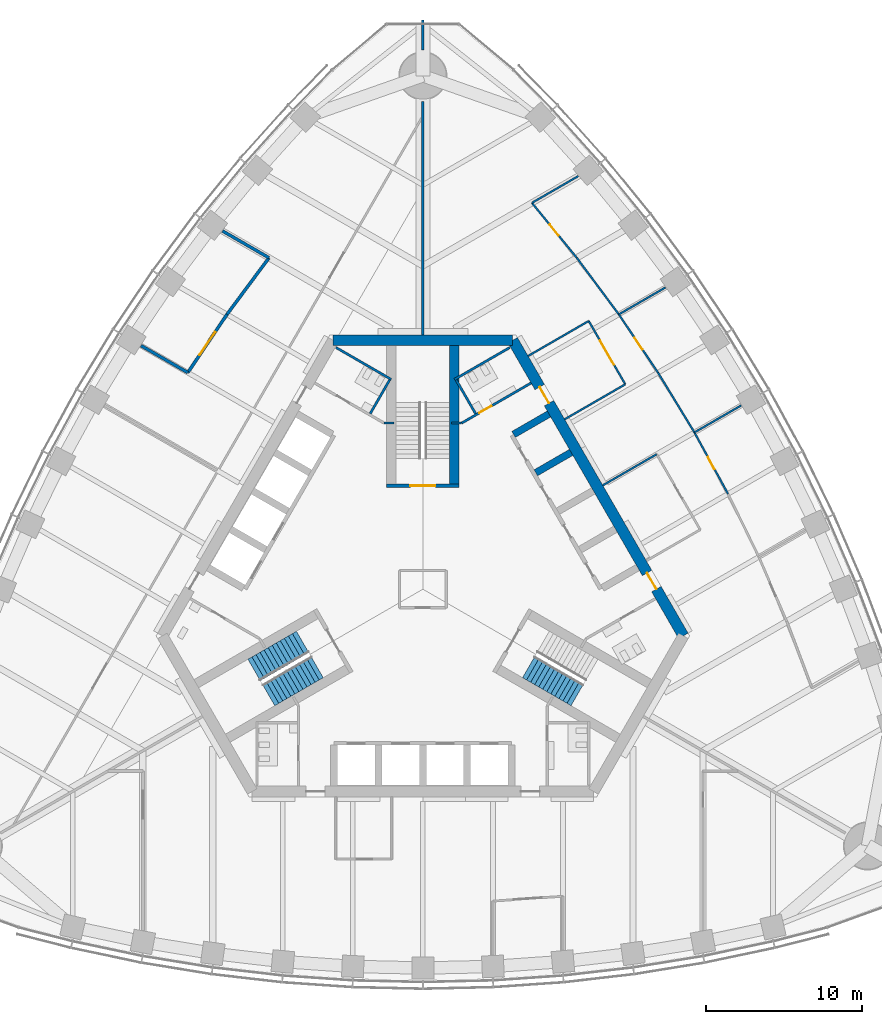
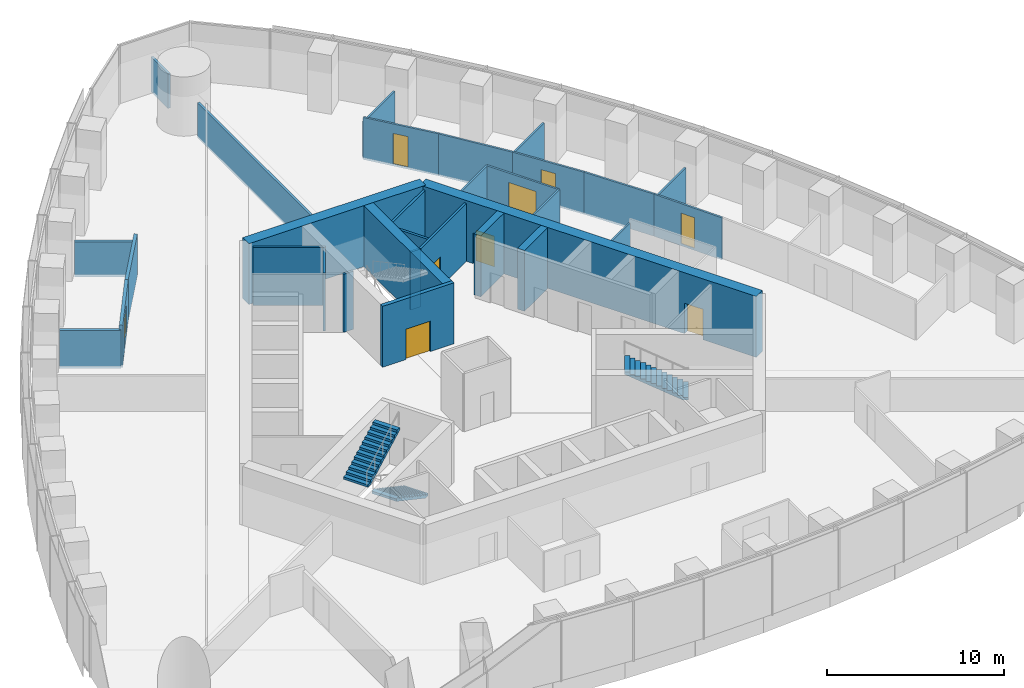
# One storey, part 13 of 19: 31 walls, 9 doors, 3 stair flights, 9 openings, 2 elements without a shape of their own.
"""IFC4 building model written with IfcOpenShell, lengths in metres."""

from ifc_helpers import new_model, si_unit, direction, frame, frame_2d, origin, place, context, subcontext, project, spatial, polyline, rectangle, outline, extrude, material, layer, layer_set, type_object, element, fill, aggregate, save


model = new_model("IFC4")

# Units and contexts
model_context = context("Model", 3, precision=1e-05, world=origin(), true_north=direction((0.0, 1.0)))
body_context = subcontext(model_context, "Body", "Model", "MODEL_VIEW")
ifc_project = project(units=[si_unit("LENGTHUNIT", "METRE"), si_unit("AREAUNIT", "SQUARE_METRE"), si_unit("VOLUMEUNIT", "CUBIC_METRE"), si_unit("PLANEANGLEUNIT", "RADIAN"), si_unit("MASSUNIT", "GRAM", prefix="KILO")], contexts=[model_context])

# Site, building, storey
site_placement = place(None, origin())
site = spatial("IfcSite", under=ifc_project, at=site_placement, CompositionType="ELEMENT")
building_placement = place(site_placement, origin())
building = spatial("IfcBuilding", under=site, at=building_placement, Name="Trefoil Bronze Tower", CompositionType="ELEMENT")
storey_placement = place(building_placement, frame((0.0, 0.0, 256.89990234375)))
storey = spatial("IfcBuildingStorey", under=building, at=storey_placement, Name="L59", CompositionType="ELEMENT", Elevation=256.89990234375)

# Wall
ifc_material_1 = material(Name="Gypsum board on steel studs", Category="steel")
ifc_layer_1 = layer(ifc_material_1, 0.199951171875)
ifc_layer_set_1 = layer_set([ifc_layer_1], Name="Acoustic partition 200")
wall_type_1 = type_object("IfcWallType", Name="Acoustic partition 200", PredefinedType="PARTITIONING", material=ifc_layer_set_1)
wall_1_placement = place(storey_placement, frame((-9.8916015625, 21.29931640625, 0.0), z_axis=(0.0, 0.0, 1.0), x_axis=(-0.596173167565, -0.802855873912, 0.0)))
element("IfcWall", 1, at=wall_1_placement, inside=storey, type_object=wall_type_1, Name="Partition F3 L59", PredefinedType="PARTITIONING", context=body_context, shape_type="SweptSolid", body=[
    extrude(rectangle(XDim=4.530029296875, YDim=0.199951171875, at=frame_2d((2.26513671875, 0.0))), origin(), (0.0, 0.0, 1.0), 2.900146484375),
])

# Wall, opening, door
wall_2_placement = place(storey_placement, frame((-12.59228515625, 17.662353515625, 0.0), z_axis=(0.0, 0.0, 1.0), x_axis=(-0.558466624917, -0.829526991034, 0.0)))
wall_2 = element("IfcWall", 2, at=wall_2_placement, inside=storey, type_object=wall_type_1, Name="Partition F3 L59", PredefinedType="PARTITIONING", context=body_context, shape_type="SweptSolid", body=[
    extrude(rectangle(XDim=4.5107421875, YDim=0.199951171875, at=frame_2d((2.25537109375, 0.0))), origin(), (0.0, 0.0, 1.0), 2.900146484375),
])
opening_1_placement = place(wall_2_placement, frame((1.35009765625, 0.0, 0.14990234375)))
opening_1 = element("IfcOpeningElement", 3, at=opening_1_placement, cuts=wall_2, Name="Opening D10", PredefinedType="OPENING", context=body_context, shape_type="SweptSolid", body=[
    extrude(rectangle(XDim=1.800048828125, YDim=2.10009765625, at=frame_2d((0.89990234375, 1.050048828125))), frame((0.0, 0.10986328125, 0.0), z_axis=(0.0, -1.0, 0.0), x_axis=(1.0, 0.0, 0.0)), (0.0, 0.0, 1.0), 0.219970703125),
])
ifc_material_2 = material(Name="Timber door", Category="wood")
door_type_1 = type_object("IfcDoorType", Name="Double door 1800", OperationType="DOUBLE_DOOR_SINGLE_SWING", PredefinedType="DOOR", material=ifc_material_2)
door_1_placement = place(opening_1_placement, frame((1.800048828125, 0.0, 0.0), z_axis=(0.0, 0.0, 1.0), x_axis=(-1.0, 0.0, 0.0)))
door_1 = element("IfcDoor", 4, at=door_1_placement, inside=storey, type_object=door_type_1, Name="Boardroom door F3 L59", OperationType="DOUBLE_DOOR_SINGLE_SWING", OverallHeight=2.10009765625, OverallWidth=1.800048828125, PredefinedType="DOOR", context=body_context, shape_type="SweptSolid", body=[
    extrude(rectangle(XDim=1.800048828125, YDim=2.10009765625, at=frame_2d((0.89990234375, 1.050048828125))), frame((0.0, 0.02490234375, 0.0), z_axis=(0.0, -1.0, 0.0), x_axis=(1.0, 0.0, 0.0)), (0.0, 0.0, 1.0), 0.050048828125),
])
fill(opening_1, door_1)

# Walls
wall_3_placement = place(storey_placement, frame((-9.8916015625, 21.29931640625, 0.0), z_axis=(0.0, 0.0, 1.0), x_axis=(-0.866012622712, 0.500022136814, 0.0)))
element("IfcWall", 5, at=wall_3_placement, inside=storey, type_object=wall_type_1, Name="Partition F3 L59", PredefinedType="PARTITIONING", context=body_context, shape_type="SweptSolid", body=[
    extrude(rectangle(XDim=3.455322265625, YDim=0.199951171875, at=frame_2d((1.7275390625, 0.0))), origin(), (0.0, 0.0, 1.0), 2.400146484375),
])
wall_4_placement = place(storey_placement, frame((-15.111328125, 13.920654296875, 0.0), z_axis=(0.0, 0.0, 1.0), x_axis=(-0.866016800201, 0.500014901547, 0.0)))
element("IfcWall", 6, at=wall_4_placement, inside=storey, type_object=wall_type_1, Name="Partition F3 L59", PredefinedType="PARTITIONING", context=body_context, shape_type="SweptSolid", body=[
    extrude(rectangle(XDim=3.46875, YDim=0.199951171875, at=frame_2d((1.734375, 0.0))), origin(), (0.0, 0.0, 1.0), 2.60009765625),
])

# Wall, openings, doors
ifc_material_3 = material(Name="Concrete B80", Category="concrete")
ifc_layer_2 = layer(ifc_material_3, 0.699951171875)
ifc_layer_set_2 = layer_set([ifc_layer_2], Name="Core wall 700")
wall_type_2 = type_object("IfcWallType", Name="Core wall 700", PredefinedType="SHEAR", material=ifc_layer_set_2)
wall_5_placement = place(storey_placement, frame((16.7431640625, -3.0, 0.0), z_axis=(0.0, 0.0, 1.0), x_axis=(-0.500002442456, 0.866023993627, 0.0)))
wall_5 = element("IfcWall", 7, at=wall_5_placement, inside=storey, type_object=wall_type_2, Name="Core long wall 2 L59", PredefinedType="SHEAR", context=body_context, shape_type="SweptSolid", body=[
    extrude(rectangle(XDim=21.939453125, YDim=0.699951171875, at=frame_2d((10.9697265625, 0.0))), origin(), (0.0, 0.0, 1.0), 4.2001953125),
])
opening_2_placement = place(wall_5_placement, frame((17.269775390625, 0.0, 0.0)))
opening_2 = element("IfcOpeningElement", 8, at=opening_2_placement, cuts=wall_5, Name="Opening D2", PredefinedType="OPENING", context=body_context, shape_type="SweptSolid", body=[
    extrude(rectangle(XDim=1.199951171875, YDim=2.10009765625, at=frame_2d((0.60009765625, 1.050048828125))), frame((0.0, 0.35986328125, 0.0), z_axis=(0.0, -1.0, 0.0), x_axis=(1.0, 0.0, 0.0)), (0.0, 0.0, 1.0), 0.719970703125),
])
opening_3_placement = place(wall_5_placement, frame((3.4697265625, 0.0, 0.0)))
opening_3 = element("IfcOpeningElement", 9, at=opening_3_placement, cuts=wall_5, Name="Opening D2", PredefinedType="OPENING", context=body_context, shape_type="SweptSolid", body=[
    extrude(rectangle(XDim=1.199951171875, YDim=2.10009765625, at=frame_2d((0.60009765625, 1.050048828125))), frame((0.0, 0.35986328125, 0.0), z_axis=(0.0, -1.0, 0.0), x_axis=(1.0, 0.0, 0.0)), (0.0, 0.0, 1.0), 0.719970703125),
])
ifc_material_4 = material(Name="Steel door", Category="steel")
door_type_2 = type_object("IfcDoorType", Name="Lobby door 1200", OperationType="SINGLE_SWING_RIGHT", PredefinedType="DOOR", material=ifc_material_4)
door_2_placement = place(opening_2_placement, origin())
door_2 = element("IfcDoor", 10, at=door_2_placement, inside=storey, type_object=door_type_2, Name="Lobby door F2+ L59", OperationType="SINGLE_SWING_RIGHT", OverallHeight=2.10009765625, OverallWidth=1.199951171875, PredefinedType="DOOR", context=body_context, shape_type="SweptSolid", body=[
    extrude(rectangle(XDim=1.199951171875, YDim=2.10009765625, at=frame_2d((0.60009765625, 1.050048828125))), frame((0.0, 0.02490234375, 0.0), z_axis=(0.0, -1.0, 0.0), x_axis=(1.0, 0.0, 0.0)), (0.0, 0.0, 1.0), 0.050048828125),
])
fill(opening_2, door_2)
door_3_placement = place(opening_3_placement, origin())
door_3 = element("IfcDoor", 11, at=door_3_placement, inside=storey, type_object=door_type_2, Name="Lobby door F2- L59", OperationType="SINGLE_SWING_LEFT", OverallHeight=2.10009765625, OverallWidth=1.199951171875, PredefinedType="DOOR", context=body_context, shape_type="SweptSolid", body=[
    extrude(rectangle(XDim=1.199951171875, YDim=2.10009765625, at=frame_2d((0.60009765625, 1.050048828125))), frame((0.0, 0.02490234375, 0.0), z_axis=(0.0, -1.0, 0.0), x_axis=(1.0, 0.0, 0.0)), (0.0, 0.0, 1.0), 0.050048828125),
])
fill(opening_3, door_3)

# Wall
wall_6_placement = place(storey_placement, frame((5.7734375, 16.0, 0.0), z_axis=(0.0, 0.0, 1.0), x_axis=(-1.0, 0.0, 0.0)))
element("IfcWall", 12, at=wall_6_placement, inside=storey, type_object=wall_type_2, Name="Core short wall 2 L59", PredefinedType="SHEAR", context=body_context, shape_type="SweptSolid", body=[
    extrude(rectangle(XDim=11.546875, YDim=0.699951171875, at=frame_2d((5.7734375, 0.0))), origin(), (0.0, 0.0, 1.0), 4.2001953125),
])

# Wall, opening, door
ifc_material_5 = material(Name="Glazed partition", Category="glass")
ifc_layer_3 = layer(ifc_material_5, 0.1201171875)
ifc_layer_set_3 = layer_set([ifc_layer_3], Name="Glazed partition 120")
wall_type_3 = type_object("IfcWallType", Name="Glazed partition 120", PredefinedType="PARTITIONING", material=ifc_layer_set_3)
wall_7_placement = place(storey_placement, frame((13.008544921875, 13.16845703125, 0.0), z_axis=(0.0, 0.0, 1.0), x_axis=(-0.500016218704, 0.866016039709, 0.0)))
wall_7 = element("IfcWall", 13, at=wall_7_placement, inside=storey, type_object=wall_type_3, Name="Partition F2 L59", PredefinedType="PARTITIONING", context=body_context, shape_type="SweptSolid", body=[
    extrude(rectangle(XDim=4.699951171875, YDim=0.1201171875, at=frame_2d((2.35009765625, 0.0))), origin(), (0.0, 0.0, 1.0), 2.900146484375),
])
opening_4_placement = place(wall_7_placement, frame((1.449951171875, 0.0, 0.14990234375)))
opening_4 = element("IfcOpeningElement", 14, at=opening_4_placement, cuts=wall_7, Name="Opening D10", PredefinedType="OPENING", context=body_context, shape_type="SweptSolid", body=[
    extrude(rectangle(XDim=1.800048828125, YDim=2.10009765625, at=frame_2d((0.89990234375, 1.050048828125))), frame((0.0, 0.070068359375, 0.0), z_axis=(0.0, -1.0, 0.0), x_axis=(1.0, 0.0, 0.0)), (0.0, 0.0, 1.0), 0.14013671875),
])
door_4_placement = place(opening_4_placement, frame((1.800048828125, 0.0, 0.0), z_axis=(0.0, 0.0, 1.0), x_axis=(-1.0, 0.0, 0.0)))
door_4 = element("IfcDoor", 15, at=door_4_placement, inside=storey, type_object=door_type_1, Name="Reception door F2 L59", OperationType="DOUBLE_DOOR_SINGLE_SWING", OverallHeight=2.10009765625, OverallWidth=1.800048828125, PredefinedType="DOOR", context=body_context, shape_type="SweptSolid", body=[
    extrude(rectangle(XDim=1.800048828125, YDim=2.10009765625, at=frame_2d((0.89990234375, 1.050048828125))), frame((0.0, 0.02490234375, 0.0), z_axis=(0.0, -1.0, 0.0), x_axis=(1.0, 0.0, 0.0)), (0.0, 0.0, 1.0), 0.050048828125),
])
fill(opening_4, door_4)

# Walls
wall_8_placement = place(storey_placement, frame((9.111328125, 10.91845703125, 0.0), z_axis=(0.0, 0.0, 1.0), x_axis=(0.866031096941, 0.499990139034, 0.0)))
element("IfcWall", 16, at=wall_8_placement, inside=storey, type_object=wall_type_3, Name="Partition F2 L59", PredefinedType="PARTITIONING", context=body_context, shape_type="SweptSolid", body=[
    extrude(rectangle(XDim=4.5, YDim=0.1201171875, at=frame_2d((2.25, 0.0))), origin(), (0.0, 0.0, 1.0), 2.900146484375),
])
wall_9_placement = place(storey_placement, frame((6.761474609375, 14.98876953125, 0.0), z_axis=(0.0, 0.0, 1.0), x_axis=(0.866017533419, 0.500013631625, 0.0)))
element("IfcWall", 17, at=wall_9_placement, inside=storey, type_object=wall_type_3, Name="Partition F2 L59", PredefinedType="PARTITIONING", context=body_context, shape_type="SweptSolid", body=[
    extrude(rectangle(XDim=4.499755859375, YDim=0.1201171875, at=frame_2d((2.25, 0.0))), origin(), (0.0, 0.0, 1.0), 2.900146484375),
])
wall_10_placement = place(storey_placement, frame((11.5615234375, 6.675048828125, 0.0), z_axis=(0.0, 0.0, 1.0), x_axis=(0.866026010844, 0.49999894854, 0.0)))
element("IfcWall", 18, at=wall_10_placement, inside=storey, type_object=wall_type_3, Name="Partition F2 L59", PredefinedType="PARTITIONING", context=body_context, shape_type="SweptSolid", body=[
    extrude(rectangle(XDim=4.0, YDim=0.1201171875, at=frame_2d((2.0, 0.0))), origin(), (0.0, 0.0, 1.0), 2.60009765625),
])
wall_11_placement = place(storey_placement, frame((17.450927734375, 10.075439453125, 0.0), z_axis=(0.0, 0.0, 1.0), x_axis=(-0.519790350351, 0.85429385558, 0.0)))
element("IfcWall", 19, at=wall_11_placement, inside=storey, type_object=wall_type_3, Name="Partition F2 L59", PredefinedType="PARTITIONING", context=body_context, shape_type="SweptSolid", body=[
    extrude(rectangle(XDim=4.5009765625, YDim=0.1201171875, at=frame_2d((2.25048828125, 0.0))), origin(), (0.0, 0.0, 1.0), 2.900146484375),
])

# Wall, opening, door
wall_12_placement = place(storey_placement, frame((9.8916015625, 21.29931640625, 0.0), z_axis=(0.0, 0.0, 1.0), x_axis=(-0.632765292047, 0.774343647989, 0.0)))
wall_12 = element("IfcWall", 20, at=wall_12_placement, inside=storey, type_object=wall_type_3, Name="Partition F2 L59", PredefinedType="PARTITIONING", context=body_context, shape_type="SweptSolid", body=[
    extrude(rectangle(XDim=4.559326171875, YDim=0.1201171875, at=frame_2d((2.27978515625, 0.0))), origin(), (0.0, 0.0, 1.0), 2.900146484375),
])
opening_5_placement = place(wall_12_placement, frame((1.85009765625, 0.0, 0.14990234375)))
opening_5 = element("IfcOpeningElement", 21, at=opening_5_placement, cuts=wall_12, Name="Opening D8", PredefinedType="OPENING", context=body_context, shape_type="SweptSolid", body=[
    extrude(rectangle(XDim=0.89990234375, YDim=2.10009765625, at=frame_2d((0.449951171875, 1.050048828125))), frame((0.0, 0.070068359375, 0.0), z_axis=(0.0, -1.0, 0.0), x_axis=(1.0, 0.0, 0.0)), (0.0, 0.0, 1.0), 0.14013671875),
])
ifc_material_6 = material(Name="Timber door", Category="wood")
door_type_3 = type_object("IfcDoorType", Name="Office door 900", OperationType="SINGLE_SWING_LEFT", PredefinedType="DOOR", material=ifc_material_6)
door_5_placement = place(opening_5_placement, frame((0.89990234375, 0.0, 0.0), z_axis=(0.0, 0.0, 1.0), x_axis=(-1.0, 0.0, 0.0)))
door_5 = element("IfcDoor", 22, at=door_5_placement, inside=storey, type_object=door_type_3, Name="Executive office door F2 L59", OperationType="SINGLE_SWING_LEFT", OverallHeight=2.10009765625, OverallWidth=0.89990234375, PredefinedType="DOOR", context=body_context, shape_type="SweptSolid", body=[
    extrude(rectangle(XDim=0.89990234375, YDim=2.10009765625, at=frame_2d((0.449951171875, 1.050048828125))), frame((0.0, 0.02490234375, 0.0), z_axis=(0.0, -1.0, 0.0), x_axis=(1.0, 0.0, 0.0)), (0.0, 0.0, 1.0), 0.050048828125),
])
fill(opening_5, door_5)

wall_13_placement = place(storey_placement, frame((15.111328125, 13.920654296875, 0.0), z_axis=(0.0, 0.0, 1.0), x_axis=(-0.558466624917, 0.829526991034, 0.0)))
wall_13 = element("IfcWall", 23, at=wall_13_placement, inside=storey, type_object=wall_type_3, Name="Partition F2 L59", PredefinedType="PARTITIONING", context=body_context, shape_type="SweptSolid", body=[
    extrude(rectangle(XDim=4.5107421875, YDim=0.1201171875, at=frame_2d((2.25537109375, 0.0))), origin(), (0.0, 0.0, 1.0), 2.900146484375),
])
opening_6_placement = place(wall_13_placement, frame((1.800048828125, 0.0, 0.14990234375)))
opening_6 = element("IfcOpeningElement", 24, at=opening_6_placement, cuts=wall_13, Name="Opening D8", PredefinedType="OPENING", context=body_context, shape_type="SweptSolid", body=[
    extrude(rectangle(XDim=0.89990234375, YDim=2.10009765625, at=frame_2d((0.449951171875, 1.050048828125))), frame((0.0, 0.070068359375, 0.0), z_axis=(0.0, -1.0, 0.0), x_axis=(1.0, 0.0, 0.0)), (0.0, 0.0, 1.0), 0.14013671875),
])
door_6_placement = place(opening_6_placement, frame((0.89990234375, 0.0, 0.0), z_axis=(0.0, 0.0, 1.0), x_axis=(-1.0, 0.0, 0.0)))
door_6 = element("IfcDoor", 25, at=door_6_placement, inside=storey, type_object=door_type_3, Name="Executive office door F2 L59", OperationType="SINGLE_SWING_RIGHT", OverallHeight=2.10009765625, OverallWidth=0.89990234375, PredefinedType="DOOR", context=body_context, shape_type="SweptSolid", body=[
    extrude(rectangle(XDim=0.89990234375, YDim=2.10009765625, at=frame_2d((0.449951171875, 1.050048828125))), frame((0.0, 0.02490234375, 0.0), z_axis=(0.0, -1.0, 0.0), x_axis=(1.0, 0.0, 0.0)), (0.0, 0.0, 1.0), 0.050048828125),
])
fill(opening_6, door_6)

# Wall
wall_14_placement = place(storey_placement, frame((12.59228515625, 17.662353515625, 0.0), z_axis=(0.0, 0.0, 1.0), x_axis=(-0.596173167565, 0.802855873912, 0.0)))
element("IfcWall", 26, at=wall_14_placement, inside=storey, type_object=wall_type_3, Name="Partition F2 L59", PredefinedType="PARTITIONING", context=body_context, shape_type="SweptSolid", body=[
    extrude(rectangle(XDim=4.530029296875, YDim=0.1201171875, at=frame_2d((2.26513671875, 0.0))), origin(), (0.0, 0.0, 1.0), 2.900146484375),
])

# Wall, opening, door
wall_15_placement = place(storey_placement, frame((19.611328125, 6.12646484375, 0.0), z_axis=(0.0, 0.0, 1.0), x_axis=(-0.479949984371, 0.877295852322, 0.0)))
wall_15 = element("IfcWall", 27, at=wall_15_placement, inside=storey, type_object=wall_type_3, Name="Partition F2 L59", PredefinedType="PARTITIONING", context=body_context, shape_type="SweptSolid", body=[
    extrude(rectangle(XDim=4.501220703125, YDim=0.1201171875, at=frame_2d((2.25048828125, 0.0))), origin(), (0.0, 0.0, 1.0), 2.900146484375),
])
opening_7_placement = place(wall_15_placement, frame((1.800048828125, 0.0, 0.14990234375)))
opening_7 = element("IfcOpeningElement", 28, at=opening_7_placement, cuts=wall_15, Name="Opening D8", PredefinedType="OPENING", context=body_context, shape_type="SweptSolid", body=[
    extrude(rectangle(XDim=0.89990234375, YDim=2.10009765625, at=frame_2d((0.449951171875, 1.050048828125))), frame((0.0, 0.070068359375, 0.0), z_axis=(0.0, -1.0, 0.0), x_axis=(1.0, 0.0, 0.0)), (0.0, 0.0, 1.0), 0.14013671875),
])
door_7_placement = place(opening_7_placement, frame((0.89990234375, 0.0, 0.0), z_axis=(0.0, 0.0, 1.0), x_axis=(-1.0, 0.0, 0.0)))
door_7 = element("IfcDoor", 29, at=door_7_placement, inside=storey, type_object=door_type_3, Name="Executive office door F2 L59", OperationType="SINGLE_SWING_RIGHT", OverallHeight=2.10009765625, OverallWidth=0.89990234375, PredefinedType="DOOR", context=body_context, shape_type="SweptSolid", body=[
    extrude(rectangle(XDim=0.89990234375, YDim=2.10009765625, at=frame_2d((0.449951171875, 1.050048828125))), frame((0.0, 0.02490234375, 0.0), z_axis=(0.0, -1.0, 0.0), x_axis=(1.0, 0.0, 0.0)), (0.0, 0.0, 1.0), 0.050048828125),
])
fill(opening_7, door_7)

# Walls
wall_16_placement = place(storey_placement, frame((17.450927734375, 10.075439453125, 0.0), z_axis=(0.0, 0.0, 1.0), x_axis=(0.866043818878, 0.499968102766, 0.0)))
element("IfcWall", 30, at=wall_16_placement, inside=storey, type_object=wall_type_3, Name="Partition F2 L59", PredefinedType="PARTITIONING", context=body_context, shape_type="SweptSolid", body=[
    extrude(rectangle(XDim=3.469970703125, YDim=0.1201171875, at=frame_2d((1.73486328125, 0.0))), origin(), (0.0, 0.0, 1.0), 2.60009765625),
])
wall_17_placement = place(storey_placement, frame((7.006591796875, 24.829833984375, 0.0), z_axis=(0.0, 0.0, 1.0), x_axis=(0.866022668282, 0.500004737999, 0.0)))
element("IfcWall", 31, at=wall_17_placement, inside=storey, type_object=wall_type_3, Name="Partition F2 L59", PredefinedType="PARTITIONING", context=body_context, shape_type="SweptSolid", body=[
    extrude(rectangle(XDim=3.44384765625, YDim=0.1201171875, at=frame_2d((1.721923828125, 0.0))), origin(), (0.0, 0.0, 1.0), 2.60009765625),
])
wall_18_placement = place(storey_placement, frame((12.59228515625, 17.662353515625, 0.0), z_axis=(0.0, 0.0, 1.0), x_axis=(0.866004813252, 0.500035662153, 0.0)))
element("IfcWall", 32, at=wall_18_placement, inside=storey, type_object=wall_type_3, Name="Partition F2 L59", PredefinedType="PARTITIONING", context=body_context, shape_type="SweptSolid", body=[
    extrude(rectangle(XDim=3.463623046875, YDim=0.1201171875, at=frame_2d((1.73193359375, 0.0))), origin(), (0.0, 0.0, 1.0), 2.800048828125),
])
ifc_material_7 = material(Name="Concrete B80", Category="concrete")
ifc_layer_4 = layer(ifc_material_7, 0.449951171875)
ifc_layer_set_4 = layer_set([ifc_layer_4], Name="Outrigger shaft wall 450")
wall_type_4 = type_object("IfcWallType", Name="Outrigger shaft wall 450", PredefinedType="SHEAR", material=ifc_layer_set_4)
for number, where, z_axis, x_axis, name in (
    (33, (7.2568359375, 7.480712890625, 0.0), (0.0, 0.0, 1.0), (0.866036909293, 0.499980071345, 0.0), "Lift shaft side wall B3 L59"),
    (34, (5.831787109375, 9.94873046875, 0.0), (0.0, 0.0, 1.0), (0.866036909293, 0.499980071345, 0.0), "Lift shaft side wall B4 L59"),
):
    element("IfcWall", number, at=place(storey_placement, frame(where, z_axis=z_axis, x_axis=x_axis)), inside=storey, type_object=wall_type_4, Name=name, PredefinedType="SHEAR", context=body_context, shape_type="SweptSolid", body=[
        extrude(rectangle(XDim=2.625, YDim=0.449951171875, at=frame_2d((1.3125, 0.0))), origin(), (0.0, 0.0, 1.0), 4.2001953125),
    ])

# Wall, opening, door
ifc_material_8 = material(Name="Gypsum board on steel studs", Category="steel")
ifc_layer_5 = layer(ifc_material_8, 0.14990234375)
ifc_layer_set_5 = layer_set([ifc_layer_5], Name="Partition 150")
wall_type_5 = type_object("IfcWallType", Name="Partition 150", PredefinedType="PARTITIONING", material=ifc_layer_set_5)
wall_19_placement = place(storey_placement, frame((2.4951171875, 10.67822265625, 0.0), z_axis=(0.0, 0.0, 1.0), x_axis=(0.866037967349, 0.499978238636, 0.0)))
wall_19 = element("IfcWall", 35, at=wall_19_placement, inside=storey, type_object=wall_type_5, Name="Passage wall F2+ L59", PredefinedType="PARTITIONING", context=body_context, shape_type="SweptSolid", body=[
    extrude(rectangle(XDim=5.150146484375, YDim=0.14990234375, at=frame_2d((2.5751953125, 0.0))), origin(), (0.0, 0.0, 1.0), 4.0),
])
opening_8_placement = place(wall_19_placement, frame((1.300048828125, 0.0, 0.0)))
opening_8 = element("IfcOpeningElement", 36, at=opening_8_placement, cuts=wall_19, Name="Opening D3", PredefinedType="OPENING", context=body_context, shape_type="SweptSolid", body=[
    extrude(rectangle(XDim=0.89990234375, YDim=2.10009765625, at=frame_2d((0.449951171875, 1.050048828125))), frame((0.0, 0.0849609375, 0.0), z_axis=(0.0, -1.0, 0.0), x_axis=(1.0, 0.0, 0.0)), (0.0, 0.0, 1.0), 0.169921875),
])
ifc_material_9 = material(Name="Timber door", Category="wood")
door_type_4 = type_object("IfcDoorType", Name="WC door 900", OperationType="SINGLE_SWING_LEFT", PredefinedType="DOOR", material=ifc_material_9)
door_8_placement = place(opening_8_placement, origin())
door_8 = element("IfcDoor", 37, at=door_8_placement, inside=storey, type_object=door_type_4, Name="WC (men) door L59", OperationType="SINGLE_SWING_LEFT", OverallHeight=2.10009765625, OverallWidth=0.89990234375, PredefinedType="DOOR", context=body_context, shape_type="SweptSolid", body=[
    extrude(rectangle(XDim=0.89990234375, YDim=2.10009765625, at=frame_2d((0.449951171875, 1.050048828125))), frame((0.0, 0.02490234375, 0.0), z_axis=(0.0, -1.0, 0.0), x_axis=(1.0, 0.0, 0.0)), (0.0, 0.0, 1.0), 0.050048828125),
])
fill(opening_8, door_8)

# Walls
for number, where, z_axis, x_axis, name in (
    (38, (2.4951171875, 10.67822265625, 0.0), (0.0, 0.0, 1.0), (-1.0, 0.0, 0.0), "WC wall ST2-1 L59"),
    (39, (-2.4951171875, 10.67822265625, 0.0), (0.0, 0.0, 1.0), (1.0, 0.0, 0.0), "WC wall ST2+1 L59"),
):
    element("IfcWall", number, at=place(storey_placement, frame(where, z_axis=z_axis, x_axis=x_axis)), inside=storey, type_object=wall_type_5, Name=name, PredefinedType="PARTITIONING", context=body_context, shape_type="SweptSolid", body=[
        extrude(rectangle(XDim=0.64501953125, YDim=0.14990234375, at=frame_2d((0.322509765625, 0.0))), origin(), (0.0, 0.0, 1.0), 4.0),
    ])
wall_20_placement = place(storey_placement, frame((2.03125, 13.48193359375, 0.0), z_axis=(0.0, 0.0, 1.0), x_axis=(0.866050731258, 0.499956128963, 0.0)))
element("IfcWall", 40, at=wall_20_placement, inside=storey, type_object=wall_type_5, Name="WC partition WC (men) L59", PredefinedType="PARTITIONING", context=body_context, shape_type="SweptSolid", body=[
    extrude(rectangle(XDim=4.099853515625, YDim=0.14990234375, at=frame_2d((2.0498046875, 0.0))), origin(), (0.0, 0.0, 1.0), 4.0),
])
wall_21_placement = place(storey_placement, frame((3.388671875, 11.28076171875, 0.0), z_axis=(0.0, 0.0, 1.0), x_axis=(-0.499989096993, 0.866031698547, 0.0)))
element("IfcWall", 41, at=wall_21_placement, inside=storey, type_object=wall_type_5, Name="WC partition WC (men) L59", PredefinedType="PARTITIONING", context=body_context, shape_type="SweptSolid", body=[
    extrude(rectangle(XDim=2.509765625, YDim=0.14990234375, at=frame_2d((1.2548828125, 0.0))), origin(), (0.0, 0.0, 1.0), 4.0),
])
wall_22_placement = place(storey_placement, frame((-2.03125, 13.48193359375, 0.0), z_axis=(0.0, 0.0, 1.0), x_axis=(-0.866050731258, 0.499956128963, 0.0)))
element("IfcWall", 42, at=wall_22_placement, inside=storey, type_object=wall_type_5, Name="WC partition WC (women) L59", PredefinedType="PARTITIONING", context=body_context, shape_type="SweptSolid", body=[
    extrude(rectangle(XDim=4.099853515625, YDim=0.14990234375, at=frame_2d((2.0498046875, 0.0))), origin(), (0.0, 0.0, 1.0), 4.0),
])
wall_23_placement = place(storey_placement, frame((-3.388671875, 11.28076171875, 0.0), z_axis=(0.0, 0.0, 1.0), x_axis=(0.499989096993, 0.866031698547, 0.0)))
element("IfcWall", 43, at=wall_23_placement, inside=storey, type_object=wall_type_5, Name="WC partition WC (women) L59", PredefinedType="PARTITIONING", context=body_context, shape_type="SweptSolid", body=[
    extrude(rectangle(XDim=2.509765625, YDim=0.14990234375, at=frame_2d((1.2548828125, 0.0))), origin(), (0.0, 0.0, 1.0), 4.0),
])
ifc_material_10 = material(Name="Gypsum board on steel studs", Category="steel")
ifc_layer_6 = layer(ifc_material_10, 0.14990234375)
ifc_layer_set_6 = layer_set([ifc_layer_6], Name="Party wall 150")
wall_type_6 = type_object("IfcWallType", Name="Party wall 150", PredefinedType="PARTITIONING", material=ifc_layer_set_6)
wall_24_placement = place(storey_placement, frame((0.0, 16.35009765625, 0.0), z_axis=(0.0, 0.0, 1.0), x_axis=(0.0, 1.0, 0.0)))
element("IfcWall", 44, at=wall_24_placement, inside=storey, type_object=wall_type_6, Name="Party wall K2 L59", PredefinedType="PARTITIONING", context=body_context, shape_type="SweptSolid", body=[
    extrude(rectangle(XDim=15.0, YDim=0.14990234375, at=frame_2d((7.5, 0.0))), origin(), (0.0, 0.0, 1.0), 2.400146484375),
])
wall_25_placement = place(storey_placement, frame((0.0, 34.64990234375, 0.0), z_axis=(0.0, 0.0, 1.0), x_axis=(0.0, 1.0, 0.0)))
element("IfcWall", 45, at=wall_25_placement, inside=storey, type_object=wall_type_6, Name="Party wall K2 L59", PredefinedType="PARTITIONING", context=body_context, shape_type="SweptSolid", body=[
    extrude(rectangle(XDim=1.934814453125, YDim=0.14990234375, at=frame_2d((0.96728515625, 0.0))), origin(), (0.0, 0.0, 1.0), 2.400146484375),
])

# Wall, opening, door
ifc_material_11 = material(Name="Concrete B80", Category="concrete")
ifc_layer_7 = layer(ifc_material_11, 0.25)
ifc_layer_set_7 = layer_set([ifc_layer_7], Name="Shaft wall 250")
wall_type_7 = type_object("IfcWallType", Name="Shaft wall 250", PredefinedType="SHEAR", material=ifc_layer_set_7)
wall_26_placement = place(storey_placement, frame((2.324951171875, 6.64990234375, 0.0), z_axis=(0.0, 0.0, 1.0), x_axis=(-1.0, 0.0, 0.0)))
wall_26 = element("IfcWall", 46, at=wall_26_placement, inside=storey, type_object=wall_type_7, Name="Stair end wall ST2 L59", PredefinedType="SHEAR", context=body_context, shape_type="SweptSolid", body=[
    extrude(rectangle(XDim=4.64990234375, YDim=0.25, at=frame_2d((2.324951171875, 0.0))), origin(), (0.0, 0.0, 1.0), 4.2001953125),
])
opening_9_placement = place(wall_26_placement, frame((1.52490234375, 0.0, 0.0)))
opening_9 = element("IfcOpeningElement", 47, at=opening_9_placement, cuts=wall_26, Name="Opening D1", PredefinedType="OPENING", context=body_context, shape_type="SweptSolid", body=[
    extrude(rectangle(XDim=1.60009765625, YDim=2.10009765625, at=frame_2d((0.800048828125, 1.050048828125))), frame((0.0, 0.135009765625, 0.0), z_axis=(0.0, -1.0, 0.0), x_axis=(1.0, 0.0, 0.0)), (0.0, 0.0, 1.0), 0.27001953125),
])
ifc_material_12 = material(Name="Steel door", Category="steel")
door_type_5 = type_object("IfcDoorType", Name="Stair door 1600", OperationType="DOUBLE_DOOR_SINGLE_SWING", PredefinedType="DOOR", material=ifc_material_12)
door_9_placement = place(opening_9_placement, frame((1.60009765625, 0.0, 0.0), z_axis=(0.0, 0.0, 1.0), x_axis=(-1.0, 0.0, 0.0)))
door_9 = element("IfcDoor", 48, at=door_9_placement, inside=storey, type_object=door_type_5, Name="Stair door ST2 L59", OperationType="DOUBLE_DOOR_SINGLE_SWING", OverallHeight=2.10009765625, OverallWidth=1.60009765625, PredefinedType="DOOR", context=body_context, shape_type="SweptSolid", body=[
    extrude(rectangle(XDim=1.60009765625, YDim=2.10009765625, at=frame_2d((0.800048828125, 1.050048828125))), frame((0.0, 0.02490234375, 0.0), z_axis=(0.0, -1.0, 0.0), x_axis=(1.0, 0.0, 0.0)), (0.0, 0.0, 1.0), 0.050048828125),
])
fill(opening_9, door_9)

# Wall
ifc_material_13 = material(Name="Concrete B80", Category="concrete")
ifc_layer_8 = layer(ifc_material_13, 0.60009765625)
ifc_layer_set_8 = layer_set([ifc_layer_8], Name="Stair wall 600")
wall_type_8 = type_object("IfcWallType", Name="Stair wall 600", PredefinedType="SHEAR", material=ifc_layer_set_8)
wall_27_placement = place(storey_placement, frame((2.02490234375, 6.52490234375, 0.0), z_axis=(0.0, 0.0, 1.0), x_axis=(0.0, 1.0, 0.0)))
element("IfcWall", 49, at=wall_27_placement, inside=storey, type_object=wall_type_8, Name="Stair wall ST2 L59", PredefinedType="SHEAR", context=body_context, shape_type="SweptSolid", body=[
    extrude(rectangle(XDim=9.125, YDim=0.60009765625, at=frame_2d((4.5625, 0.0))), origin(), (0.0, 0.0, 1.0), 4.2001953125),
])

# Stair, stair flight
ifc_material_14 = material(Name="Precast concrete B80", Category="concrete")
stair_type = type_object("IfcStairType", Name="Exit stair 26 risers", PredefinedType="HALF_TURN_STAIR", material=ifc_material_14)
stair_1_placement = place(storey_placement, origin())
stair_1 = element("IfcStair", 50, at=stair_1_placement, inside=storey, type_object=stair_type, Name="Stair ST1 L59", PredefinedType="HALF_TURN_STAIR")
ifc_material_15 = material(Name="Precast concrete B80", Category="concrete")
stair_flight_type = type_object("IfcStairFlightType", Name="Stair flight 1600", PredefinedType="STRAIGHT", material=ifc_material_15)
stair_flight_1_placement = place(storey_placement, frame((9.921142578125, -6.796142578125, 2.10009765625), z_axis=(0.0, 0.0, 1.0), x_axis=(-0.866025403784, 0.5, 0.0)))
stair_flight_1 = element("IfcStairFlight", 51, at=stair_flight_1_placement, type_object=stair_flight_type, Name="ST1 flight 2", NumberOfRisers=13, NumberOfTreads=12, PredefinedType="STRAIGHT", RiserHeight=0.161538462, TreadLength=0.3, context=body_context, shape_type="SweptSolid", body=[
    extrude(outline(polyline([(0.0, 0.0), (0.0, 0.16162109375), (0.300048828125, 0.16162109375), (0.300048828125, 0.322998046875), (0.60009765625, 0.322998046875), (0.60009765625, 0.484619140625), (0.89990234375, 0.484619140625), (0.89990234375, 0.646240234375), (1.199951171875, 0.646240234375), (1.199951171875, 0.8076171875), (1.5, 0.8076171875), (1.5, 0.96923828125), (1.800048828125, 0.96923828125), (1.800048828125, 1.130859375), (2.10009765625, 1.130859375), (2.10009765625, 1.292236328125), (2.39990234375, 1.292236328125), (2.39990234375, 1.453857421875), (2.699951171875, 1.453857421875), (2.699951171875, 1.615478515625), (3.0, 1.615478515625), (3.0, 1.77685546875), (3.300048828125, 1.77685546875), (3.300048828125, 1.9384765625), (3.60009765625, 1.9384765625), (3.60009765625, 2.10009765625), (3.60009765625, 1.768310546875), (0.316162109375, 0.0), (0.0, 0.0)])), frame((0.0, 0.800048828125, 0.0), z_axis=(0.0, -1.0, 0.0), x_axis=(1.0, 0.0, 0.0)), (0.0, 0.0, 1.0), 1.60009765625),
])
aggregate(stair_1, [stair_flight_1])

# Stair, stair flights
stair_2_placement = place(storey_placement, origin())
stair_2 = element("IfcStair", 52, at=stair_2_placement, inside=storey, type_object=stair_type, Name="Stair ST3 L59", PredefinedType="HALF_TURN_STAIR")
stair_flight_2_placement = place(storey_placement, frame((-6.803466796875, -4.99609375, 0.0), z_axis=(0.0, 0.0, 1.0), x_axis=(-0.866025403784, -0.5, 0.0)))
stair_flight_2 = element("IfcStairFlight", 53, at=stair_flight_2_placement, type_object=stair_flight_type, Name="ST3 flight 1", NumberOfRisers=13, NumberOfTreads=12, PredefinedType="STRAIGHT", RiserHeight=0.161538462, TreadLength=0.3, context=body_context, shape_type="SweptSolid", body=[
    extrude(outline(polyline([(0.0, 0.0), (0.0, 0.16162109375), (0.300048828125, 0.16162109375), (0.300048828125, 0.322998046875), (0.60009765625, 0.322998046875), (0.60009765625, 0.484619140625), (0.89990234375, 0.484619140625), (0.89990234375, 0.646240234375), (1.199951171875, 0.646240234375), (1.199951171875, 0.8076171875), (1.5, 0.8076171875), (1.5, 0.96923828125), (1.800048828125, 0.96923828125), (1.800048828125, 1.130859375), (2.10009765625, 1.130859375), (2.10009765625, 1.292236328125), (2.39990234375, 1.292236328125), (2.39990234375, 1.453857421875), (2.699951171875, 1.453857421875), (2.699951171875, 1.615478515625), (3.0, 1.615478515625), (3.0, 1.77685546875), (3.300048828125, 1.77685546875), (3.300048828125, 1.9384765625), (3.60009765625, 1.9384765625), (3.60009765625, 2.10009765625), (3.60009765625, 1.768310546875), (0.316162109375, 0.0), (0.0, 0.0)])), frame((0.0, 0.800048828125, 0.0), z_axis=(0.0, -1.0, 0.0), x_axis=(1.0, 0.0, 0.0)), (0.0, 0.0, 1.0), 1.60009765625),
])
stair_flight_3_placement = place(storey_placement, frame((-10.84619140625, -5.19384765625, 2.10009765625), z_axis=(0.0, 0.0, 1.0), x_axis=(0.866025403784, 0.5, 0.0)))
stair_flight_3 = element("IfcStairFlight", 54, at=stair_flight_3_placement, type_object=stair_flight_type, Name="ST3 flight 2", NumberOfRisers=13, NumberOfTreads=12, PredefinedType="STRAIGHT", RiserHeight=0.161538462, TreadLength=0.3, context=body_context, shape_type="SweptSolid", body=[
    extrude(outline(polyline([(0.0, 0.0), (0.0, 0.16162109375), (0.300048828125, 0.16162109375), (0.300048828125, 0.322998046875), (0.60009765625, 0.322998046875), (0.60009765625, 0.484619140625), (0.89990234375, 0.484619140625), (0.89990234375, 0.646240234375), (1.199951171875, 0.646240234375), (1.199951171875, 0.8076171875), (1.5, 0.8076171875), (1.5, 0.96923828125), (1.800048828125, 0.96923828125), (1.800048828125, 1.130859375), (2.10009765625, 1.130859375), (2.10009765625, 1.292236328125), (2.39990234375, 1.292236328125), (2.39990234375, 1.453857421875), (2.699951171875, 1.453857421875), (2.699951171875, 1.615478515625), (3.0, 1.615478515625), (3.0, 1.77685546875), (3.300048828125, 1.77685546875), (3.300048828125, 1.9384765625), (3.60009765625, 1.9384765625), (3.60009765625, 2.10009765625), (3.60009765625, 1.768310546875), (0.316162109375, 0.0), (0.0, 0.0)])), frame((0.0, 0.800048828125, 0.0), z_axis=(0.0, -1.0, 0.0), x_axis=(1.0, 0.0, 0.0)), (0.0, 0.0, 1.0), 1.60009765625),
])
aggregate(stair_2, [stair_flight_2, stair_flight_3])

save(model, "model.ifc")
